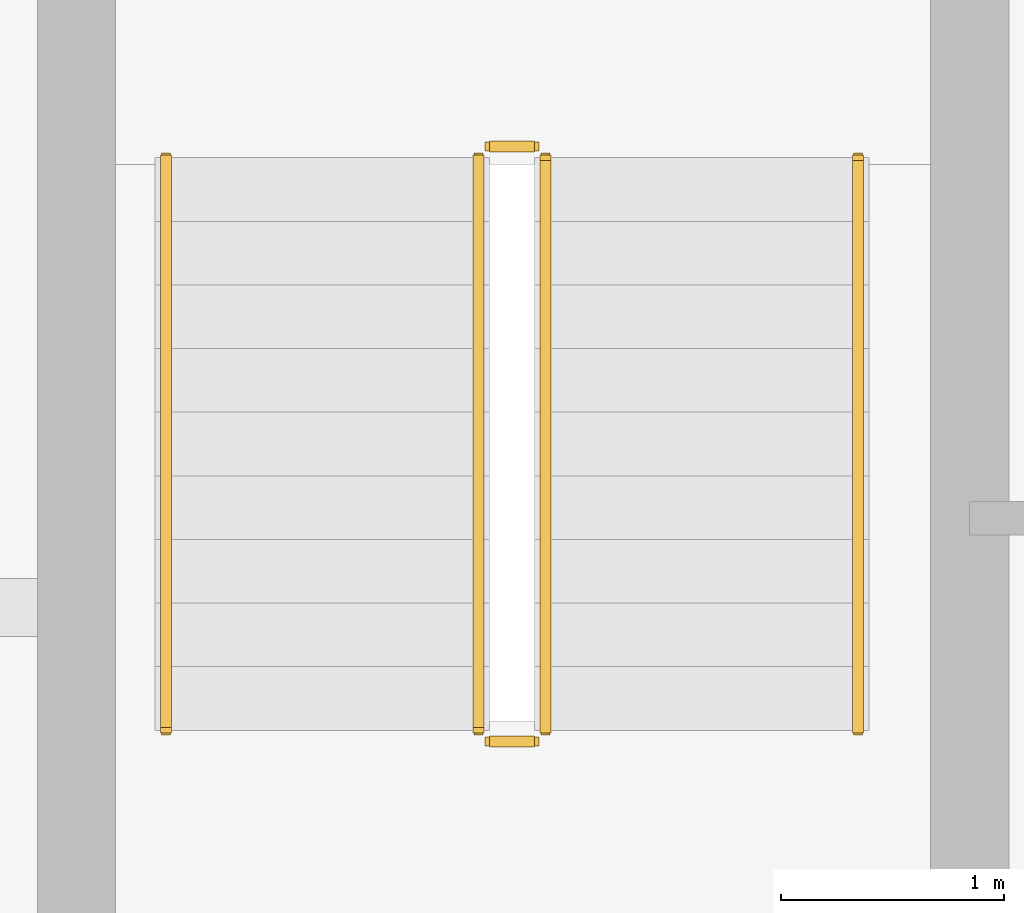
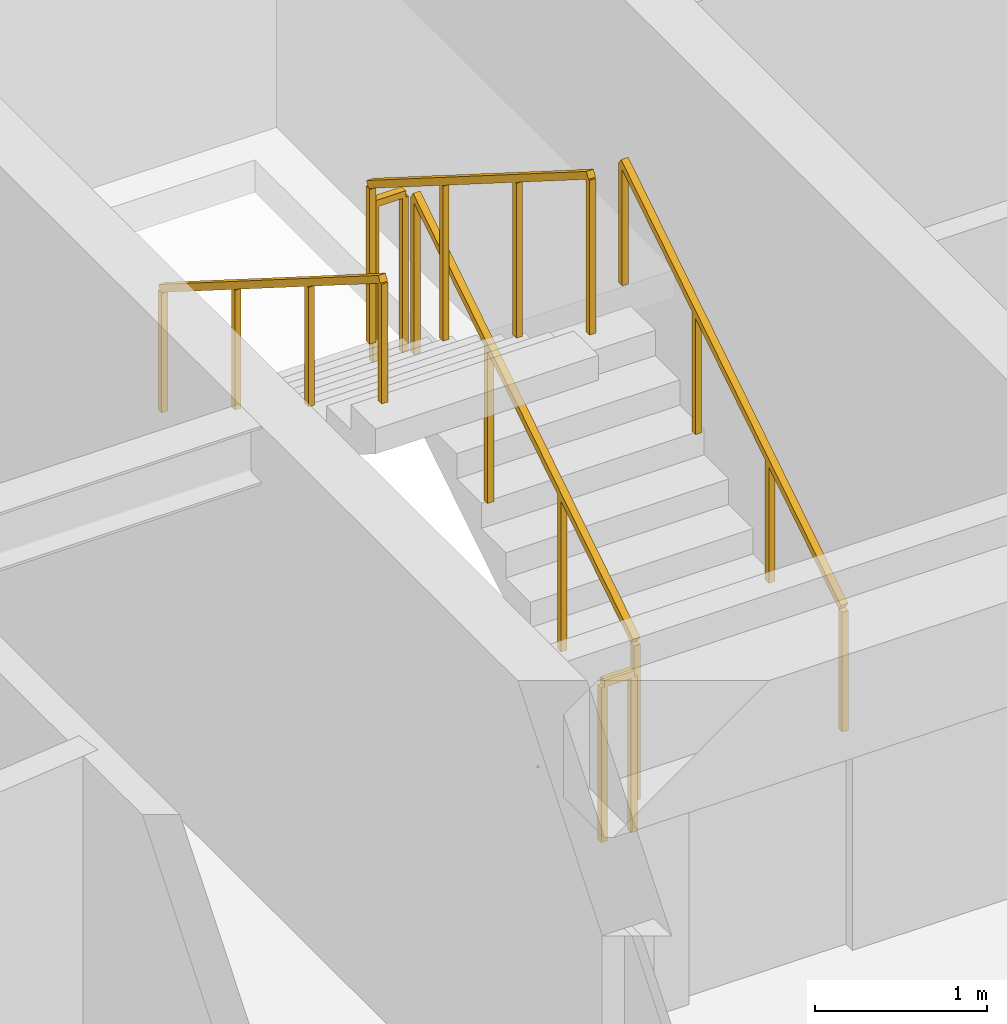
# One storey, part 20 of 22: 6 railings.
"""IFC4 building model written with IfcOpenShell, lengths in metres."""

from ifc_helpers import new_model, si_unit, direction, frame, origin, origin_2d, place, context, subcontext, project, spatial, rectangle, extrude, material, type_object, element, save


model = new_model("IFC4")

# Units and contexts
model_context = context("Model", 3, precision=1e-05, world=origin(), true_north=direction((0.0, 1.0)))
body_context = subcontext(model_context, "Body", "Model", "MODEL_VIEW")
ifc_project = project(units=[si_unit("LENGTHUNIT", "METRE"), si_unit("AREAUNIT", "SQUARE_METRE"), si_unit("VOLUMEUNIT", "CUBIC_METRE"), si_unit("PLANEANGLEUNIT", "RADIAN"), si_unit("MASSUNIT", "GRAM", prefix="KILO")], contexts=[model_context])

# Site, building, storey
site_placement = place(None, origin())
site = spatial("IfcSite", under=ifc_project, at=site_placement, CompositionType="ELEMENT")
building_placement = place(site_placement, origin())
building = spatial("IfcBuilding", under=site, at=building_placement, Name="Sarneth Arch Tower", CompositionType="ELEMENT")
storey_placement = place(building_placement, frame((0.0, 0.0, 305.39990234375)))
storey = spatial("IfcBuildingStorey", under=building, at=storey_placement, Name="L79", CompositionType="ELEMENT", Elevation=305.39990234375)

# Railings
ifc_material_1 = material(Name="Brushed Stainless Steel 304 tubular handrail", Category="steel")
railing_type_1 = type_object("IfcRailingType", Name="RAIL-HANDRAIL-900", PredefinedType="HANDRAIL", material=ifc_material_1)
railing_1_placement = place(storey_placement, frame((40.5, 41.449951171875, 0.18017578125)))
element("IfcRailing", 1, at=railing_1_placement, inside=storey, type_object=railing_type_1, Name="L79 ST-1 stair handrail 1", PredefinedType="HANDRAIL", context=body_context, shape_type="SweptSolid", body=[
    extrude(rectangle(XDim=0.048095703125, YDim=0.048095703125, at=origin_2d()), frame((0.0, 0.0, 0.8759765625), z_axis=(0.0, 0.845502289212, 0.533971796014), x_axis=(-1.0, 0.0, 0.0)), (0.0, 0.0, 1.0), 3.03369140625),
    extrude(rectangle(XDim=0.0419921875, YDim=0.0419921875, at=origin_2d()), origin(), (0.0, 0.0, 1.0), 0.851806640625),
    extrude(rectangle(XDim=0.0419921875, YDim=0.0419921875, at=origin_2d()), frame((0.0, 0.85498046875, 0.5400390625)), (0.0, 0.0, 1.0), 0.851806640625),
    extrude(rectangle(XDim=0.0419921875, YDim=0.0419921875, at=origin_2d()), frame((0.0, 1.7099609375, 1.079833984375)), (0.0, 0.0, 1.0), 0.851806640625),
    extrude(rectangle(XDim=0.0419921875, YDim=0.0419921875, at=origin_2d()), frame((0.0, 2.56494140625, 1.619873046875)), (0.0, 0.0, 1.0), 0.851806640625),
])
railing_2_placement = place(storey_placement, frame((37.39990234375, 44.014892578125, 1.97998046875)))
element("IfcRailing", 2, at=railing_2_placement, inside=storey, type_object=railing_type_1, Name="L79 ST-1 stair handrail 2", PredefinedType="HANDRAIL", context=body_context, shape_type="SweptSolid", body=[
    extrude(rectangle(XDim=0.048095703125, YDim=0.048095703125, at=origin_2d()), frame((0.0, 0.0, 0.8759765625), z_axis=(0.0, -0.845465955043, 0.534029323973), x_axis=(1.0, 0.0, 0.0)), (0.0, 0.0, 1.0), 3.03369140625),
    extrude(rectangle(XDim=0.0419921875, YDim=0.0419921875, at=origin_2d()), origin(), (0.0, 0.0, 1.0), 0.851806640625),
    extrude(rectangle(XDim=0.0419921875, YDim=0.0419921875, at=origin_2d()), frame((0.0, -0.85498046875, 0.5400390625)), (0.0, 0.0, 1.0), 0.851806640625),
    extrude(rectangle(XDim=0.0419921875, YDim=0.0419921875, at=origin_2d()), frame((0.0, -1.7099609375, 1.080078125)), (0.0, 0.0, 1.0), 0.851806640625),
    extrude(rectangle(XDim=0.0419921875, YDim=0.0419921875, at=origin_2d()), frame((0.0, -2.56494140625, 1.6201171875)), (0.0, 0.0, 1.0), 0.851806640625),
])
ifc_material_2 = material(Name="Painted Steel S275 stair well guard", Category="steel")
railing_type_2 = type_object("IfcRailingType", Name="RAIL-STAIR-GUARD", PredefinedType="GUARDRAIL", material=ifc_material_2)
railing_3_placement = place(storey_placement, frame((39.10009765625, 41.449951171875, 0.18017578125)))
element("IfcRailing", 3, at=railing_3_placement, inside=storey, type_object=railing_type_2, Name="L79 ST-1 stair guard 1", PredefinedType="GUARDRAIL", context=body_context, shape_type="SweptSolid", body=[
    extrude(rectangle(XDim=0.048095703125, YDim=0.048095703125, at=origin_2d()), frame((0.0, 0.0, 1.1259765625), z_axis=(0.0, 0.845502289212, 0.533971796014), x_axis=(-1.0, 0.0, 0.0)), (0.0, 0.0, 1.0), 3.03369140625),
    extrude(rectangle(XDim=0.0419921875, YDim=0.0419921875, at=origin_2d()), origin(), (0.0, 0.0, 1.0), 1.101806640625),
    extrude(rectangle(XDim=0.0419921875, YDim=0.0419921875, at=origin_2d()), frame((0.0, 0.85498046875, 0.5400390625)), (0.0, 0.0, 1.0), 1.101806640625),
    extrude(rectangle(XDim=0.0419921875, YDim=0.0419921875, at=origin_2d()), frame((0.0, 1.7099609375, 1.079833984375)), (0.0, 0.0, 1.0), 1.101806640625),
    extrude(rectangle(XDim=0.0419921875, YDim=0.0419921875, at=origin_2d()), frame((0.0, 2.56494140625, 1.619873046875)), (0.0, 0.0, 1.0), 1.101806640625),
])
railing_4_placement = place(storey_placement, frame((39.050048828125, 44.06494140625, 1.800048828125)))
element("IfcRailing", 4, at=railing_4_placement, inside=storey, type_object=railing_type_2, Name="L79 ST-1 stair guard 2", PredefinedType="GUARDRAIL", context=body_context, shape_type="SweptSolid", body=[
    extrude(rectangle(XDim=0.048095703125, YDim=0.048095703125, at=origin_2d()), frame((0.0, 0.0, 1.1259765625), z_axis=(-1.0, 0.0, 0.0), x_axis=(0.0, -1.0, 0.0)), (0.0, 0.0, 1.0), 0.199951171875),
    extrude(rectangle(XDim=0.0419921875, YDim=0.0419921875, at=origin_2d()), origin(), (0.0, 0.0, 1.0), 1.101806640625),
    extrude(rectangle(XDim=0.0419921875, YDim=0.0419921875, at=origin_2d()), frame((-0.199951171875, 0.0, 0.0)), (0.0, 0.0, 1.0), 1.101806640625),
])
railing_5_placement = place(storey_placement, frame((38.800048828125, 44.014892578125, 1.97998046875)))
element("IfcRailing", 5, at=railing_5_placement, inside=storey, type_object=railing_type_2, Name="L79 ST-1 stair guard 3", PredefinedType="GUARDRAIL", context=body_context, shape_type="SweptSolid", body=[
    extrude(rectangle(XDim=0.048095703125, YDim=0.048095703125, at=origin_2d()), frame((0.0, 0.0, 1.1259765625), z_axis=(0.0, -0.845465955043, 0.534029323973), x_axis=(1.0, 0.0, 0.0)), (0.0, 0.0, 1.0), 3.03369140625),
    extrude(rectangle(XDim=0.0419921875, YDim=0.0419921875, at=origin_2d()), origin(), (0.0, 0.0, 1.0), 1.101806640625),
    extrude(rectangle(XDim=0.0419921875, YDim=0.0419921875, at=origin_2d()), frame((0.0, -0.85498046875, 0.5400390625)), (0.0, 0.0, 1.0), 1.101806640625),
    extrude(rectangle(XDim=0.0419921875, YDim=0.0419921875, at=origin_2d()), frame((0.0, -1.7099609375, 1.080078125)), (0.0, 0.0, 1.0), 1.101806640625),
    extrude(rectangle(XDim=0.0419921875, YDim=0.0419921875, at=origin_2d()), frame((0.0, -2.56494140625, 1.6201171875)), (0.0, 0.0, 1.0), 1.101806640625),
])
railing_6_placement = place(storey_placement, frame((39.050048828125, 41.39990234375, 0.0)))
element("IfcRailing", 6, at=railing_6_placement, inside=storey, type_object=railing_type_2, Name="L79 ST-1 stair guard 4", PredefinedType="GUARDRAIL", context=body_context, shape_type="SweptSolid", body=[
    extrude(rectangle(XDim=0.048095703125, YDim=0.048095703125, at=origin_2d()), frame((0.0, 0.0, 1.1259765625), z_axis=(-1.0, 0.0, 0.0), x_axis=(0.0, -1.0, 0.0)), (0.0, 0.0, 1.0), 0.199951171875),
    extrude(rectangle(XDim=0.0419921875, YDim=0.0419921875, at=origin_2d()), origin(), (0.0, 0.0, 1.0), 1.101806640625),
    extrude(rectangle(XDim=0.0419921875, YDim=0.0419921875, at=origin_2d()), frame((-0.199951171875, 0.0, 0.0)), (0.0, 0.0, 1.0), 1.101806640625),
])

save(model, "model.ifc")
